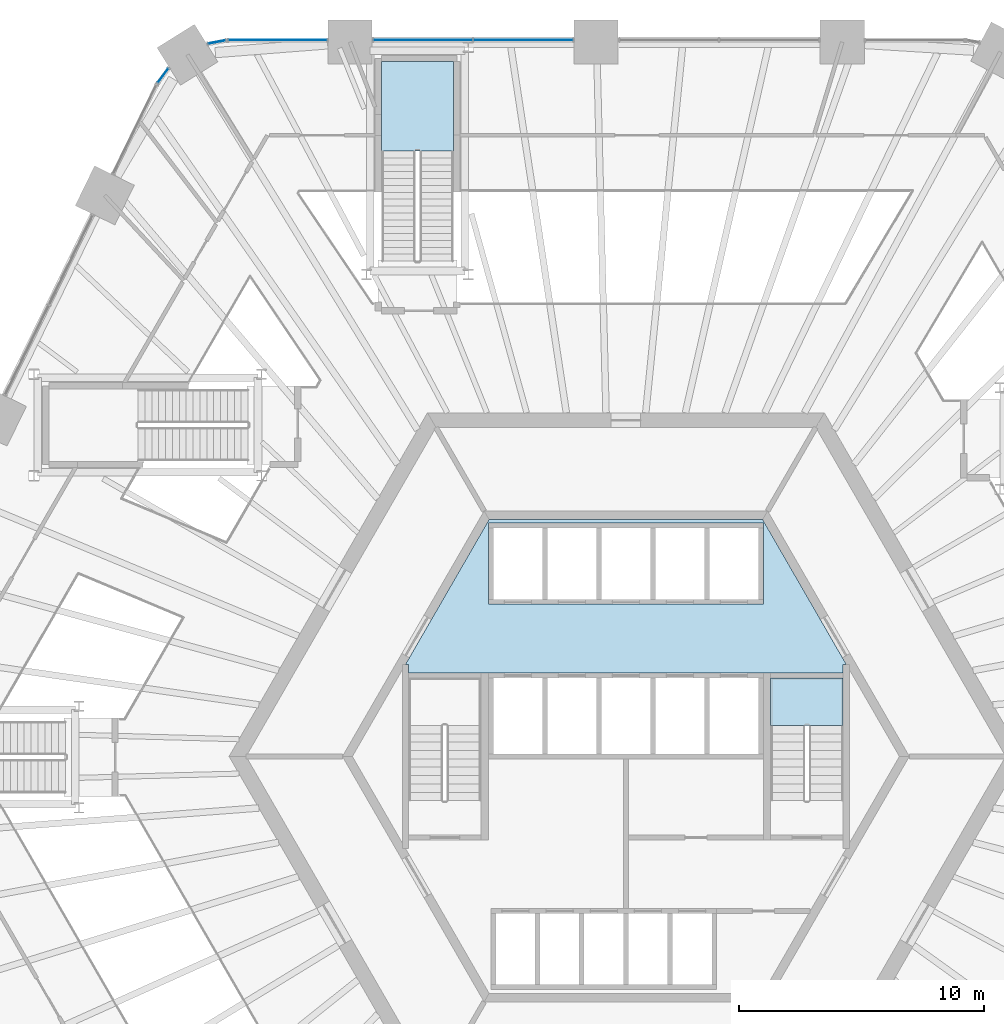
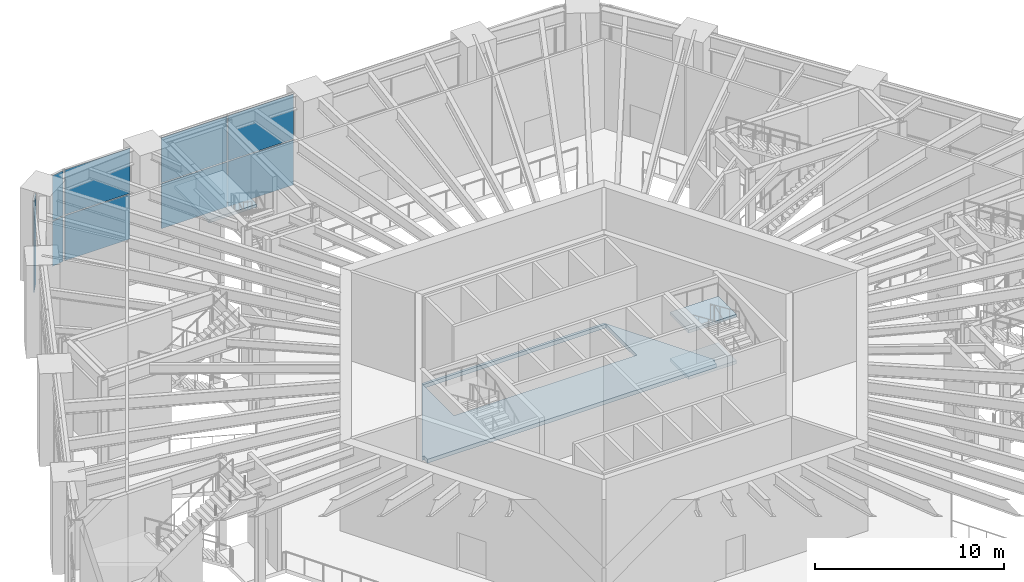
# One storey, part 18 of 32: 10 plates, 4 slabs, 6 elements without a shape of their own.
"""IFC4 building model written with IfcOpenShell, lengths in metres."""

import ifcopenshell
import ifcopenshell.guid

model = None  # the IFC model being written
_history = None  # IfcOwnerHistory: only IFC2X3 demands one
_inside = {}  # id of a spatial element -> (the spatial element, [elements in it])
_under = {}  # id of a project, library or spatial element -> (it, [spatial elements below it])
_declared = {}  # id of a project -> (the project, [libraries it declares])
_typed = {}  # id of a type object -> (the type object, [elements of that type])
_made_of = {}  # id of a material, layer set ... -> (it, [elements and type objects made of it])


def new_model(schema):
    """Start an empty IFC model of exactly this schema.

    Asked for "IFC4X3", IfcOpenShell would pick the latest addendum, in which some entities
    have other attributes; the version numbers below select the first issue.
    IFC2X3 requires an IfcOwnerHistory on every rooted entity: one is made here for all.
    """
    global model, _history
    if schema == "IFC4X3":
        model = ifcopenshell.file(schema_version=(4, 3, 0, 0))
    else:
        model = ifcopenshell.file(schema=schema)
    _inside.clear()
    _under.clear()
    _declared.clear()
    _typed.clear()
    _made_of.clear()
    _history = None
    if model.schema == "IFC2X3":
        org = make("IfcOrganization", Name="unknown")
        user = make(
            "IfcPersonAndOrganization",
            ThePerson=make("IfcPerson", FamilyName="unknown"),
            TheOrganization=org,
        )
        app = make(
            "IfcApplication",
            ApplicationDeveloper=org,
            Version="unknown",
            ApplicationFullName="unknown",
            ApplicationIdentifier="unknown",
        )
        _history = make(
            "IfcOwnerHistory",
            OwningUser=user,
            OwningApplication=app,
            ChangeAction="ADDED",
            CreationDate=0,
        )
    return model


def make(cls, **values):
    """One entity of the class cls with the attributes given. An attribute that is None is left unset."""
    return model.create_entity(
        cls, **{name: value for name, value in values.items() if value is not None}
    )


def rooted(cls, **values):
    """An entity with a GlobalId (a new one), such as an element, a storey or a relation."""
    return make(cls, GlobalId=ifcopenshell.guid.new(), OwnerHistory=_history, **values)


def si_unit(unit_type, name, prefix=None):
    """IfcSIUnit, for example si_unit("LENGTHUNIT", "METRE", prefix="MILLI")."""
    return make("IfcSIUnit", UnitType=unit_type, Prefix=prefix, Name=name)


def assignment(units):
    """IfcUnitAssignment: the units of a project."""
    return None if units is None else make("IfcUnitAssignment", Units=units)


def point(xyz):
    """IfcCartesianPoint."""
    return None if xyz is None else make("IfcCartesianPoint", Coordinates=xyz)


def direction(xyz):
    """IfcDirection."""
    return None if xyz is None else make("IfcDirection", DirectionRatios=xyz)


def frame(location, z_axis=None, x_axis=None):
    """IfcAxis2Placement3D, a coordinate frame: its origin and axes. An axis left out is left unset."""
    return make(
        "IfcAxis2Placement3D",
        Location=point(location),
        Axis=direction(z_axis),
        RefDirection=direction(x_axis),
    )


def frame_2d(location, x_axis=None):
    """IfcAxis2Placement2D, a coordinate frame in the plane: its origin and x axis."""
    return make(
        "IfcAxis2Placement2D", Location=point(location), RefDirection=direction(x_axis)
    )


def origin():
    """The frame at (0, 0, 0) with its axes left unset."""
    return frame((0.0, 0.0, 0.0))


def origin_2d():
    """The frame at (0, 0) in the plane with its x axis left unset."""
    return frame_2d((0.0, 0.0))


def place(relative_to, where):
    """IfcLocalPlacement: puts the frame where relative to a parent placement (None: the world)."""
    return make(
        "IfcLocalPlacement", PlacementRelTo=relative_to, RelativePlacement=where
    )


def context(
    kind, dimensions, precision=None, world=None, true_north=None, identifier=None
):
    """IfcGeometricRepresentationContext, for example the 3D "Model" context."""
    return make(
        "IfcGeometricRepresentationContext",
        ContextIdentifier=identifier,
        ContextType=kind,
        CoordinateSpaceDimension=dimensions,
        Precision=precision,
        WorldCoordinateSystem=world,
        TrueNorth=true_north,
    )


def subcontext(parent, identifier, kind, view, scale=None):
    """IfcGeometricRepresentationSubContext, for example "Body" below "Model"."""
    return make(
        "IfcGeometricRepresentationSubContext",
        ContextIdentifier=identifier,
        ContextType=kind,
        ParentContext=parent,
        TargetScale=scale,
        TargetView=view,
    )


def project(units=None, contexts=None):
    """IfcProject with its units and contexts."""
    return rooted(
        "IfcProject",
        Name="project",
        RepresentationContexts=contexts,
        UnitsInContext=assignment(units),
    )


def spatial(cls, under=None, at=None, **own):
    """A site, building, storey or space (cls), placed at a placement, below another one or the project."""
    s = rooted(cls, ObjectPlacement=at, **own)
    if under is not None:
        _under.setdefault(under.id(), (under, []))[1].append(s)
    return s


def polyline(points):
    """IfcPolyline through the points."""
    return make("IfcPolyline", Points=[point(p) for p in points])


def profile(cls, at=None, kind="AREA", **sizes):
    """A parametric profile (cls). Its sizes go by their IFC names, for example OverallWidth=200.0."""
    return make(cls, ProfileType=kind, Position=at, **sizes)


def rectangle(**sizes):
    """IfcRectangleProfileDef."""
    return profile("IfcRectangleProfileDef", **sizes)


def outline(outer, holes=None, kind="AREA"):
    """IfcArbitraryClosedProfileDef: a profile drawn as a closed curve; with holes, ...WithVoids."""
    if holes is None:
        return make("IfcArbitraryClosedProfileDef", ProfileType=kind, OuterCurve=outer)
    return make(
        "IfcArbitraryProfileDefWithVoids",
        ProfileType=kind,
        OuterCurve=outer,
        InnerCurves=holes,
    )


def extrude(swept, where, along, depth):
    """IfcExtrudedAreaSolid: the profile swept, set in the frame where, extruded along a direction by depth."""
    return make(
        "IfcExtrudedAreaSolid",
        SweptArea=swept,
        Position=where,
        ExtrudedDirection=direction(along),
        Depth=depth,
    )


def shape(context_of_items, identifier, shape_type, items):
    """IfcShapeRepresentation: the items that make up one representation, for example the "Body"."""
    return make(
        "IfcShapeRepresentation",
        ContextOfItems=context_of_items,
        RepresentationIdentifier=identifier,
        RepresentationType=shape_type,
        Items=items,
    )


def material(Name=None, Category=None):
    """IfcMaterial."""
    return make("IfcMaterial", Name=Name, Category=Category)


def layer(
    of_material, thickness, ventilated=None, Name=None, Category=None, Priority=None
):
    """IfcMaterialLayer: one layer of a wall or slab, of a material (None: an air gap)."""
    return make(
        "IfcMaterialLayer",
        Material=of_material,
        LayerThickness=thickness,
        IsVentilated=ventilated,
        Name=Name,
        Category=Category,
        Priority=Priority,
    )


def layer_set(layers, Name=None):
    """IfcMaterialLayerSet."""
    return make("IfcMaterialLayerSet", MaterialLayers=layers, LayerSetName=Name)


def made_of(thing, what):
    """Note that an element or type object is made of a material, layer set ...; save() writes the relation."""
    if what is not None:
        _made_of.setdefault(what.id(), (what, []))[1].append(thing)
    return thing


def type_object(cls, material=None, **own):
    """A type object (cls), such as IfcWallType, which elements share."""
    return made_of(rooted(cls, **own), material)


def element(
    cls,
    number,
    at=None,
    inside=None,
    cuts=None,
    type_object=None,
    material=None,
    context=None,
    identifier="Body",
    shape_type=None,
    held_by="IfcProductDefinitionShape",
    body=None,
    shapes=None,
    **own,
):
    """One element of the class cls, such as IfcWall. Its Tag is "e" and its number.

    at: its placement. inside: the storey or other place that contains it. cuts: it is an
    opening in that element (IfcRelVoidsElement). A single representation is given by context,
    identifier, shape_type and body (its items); several are given by shapes. held_by: the class
    of the entity that holds the representations. save() writes the other relations.
    """
    e = rooted(cls, Tag="e%d" % number, ObjectPlacement=at, **own)
    if body is not None:
        shapes = [shape(context, identifier, shape_type, body)]
    if shapes is not None:
        e.Representation = make(held_by, Representations=shapes)
    if inside is not None:
        _inside.setdefault(inside.id(), (inside, []))[1].append(e)
    if cuts is not None:
        rooted(
            "IfcRelVoidsElement", RelatingBuildingElement=cuts, RelatedOpeningElement=e
        )
    if type_object is not None:
        _typed.setdefault(type_object.id(), (type_object, []))[1].append(e)
    return made_of(e, material)


def aggregate(whole, parts):
    """IfcRelAggregates: a whole, such as a stair, and the parts it consists of."""
    return rooted("IfcRelAggregates", RelatingObject=whole, RelatedObjects=parts)


def save(model, path):
    """Write the relations noted so far, then the file.

    IfcRelAggregates (storeys below a building ...), IfcRelContainedInSpatialStructure (elements
    in a storey), IfcRelDefinesByType, IfcRelAssociatesMaterial and IfcRelDeclares: one each for
    every whole, place, type object, material and project.
    """
    for whole, parts in _under.values():
        aggregate(whole, parts)
    for where, things in _inside.values():
        rooted(
            "IfcRelContainedInSpatialStructure",
            RelatedElements=things,
            RelatingStructure=where,
        )
    for kind, things in _typed.values():
        rooted("IfcRelDefinesByType", RelatedObjects=things, RelatingType=kind)
    for what, things in _made_of.values():
        rooted("IfcRelAssociatesMaterial", RelatedObjects=things, RelatingMaterial=what)
    for by, libraries in _declared.values():
        rooted("IfcRelDeclares", RelatingContext=by, RelatedDefinitions=libraries)
    model.write(path)


model = new_model("IFC4")

# Units and contexts
model_context = context("Model", 3, precision=1e-05, world=origin(), true_north=direction((0.0, 1.0)))
body_context = subcontext(model_context, "Body", "Model", "MODEL_VIEW")
ifc_project = project(units=[si_unit("LENGTHUNIT", "METRE"), si_unit("AREAUNIT", "SQUARE_METRE"), si_unit("VOLUMEUNIT", "CUBIC_METRE"), si_unit("PLANEANGLEUNIT", "RADIAN"), si_unit("MASSUNIT", "GRAM", prefix="KILO")], contexts=[model_context])

# Site, building, storey
site_placement = place(None, origin())
site = spatial("IfcSite", under=ifc_project, at=site_placement, CompositionType="ELEMENT")
building_placement = place(site_placement, origin())
building = spatial("IfcBuilding", under=site, at=building_placement, Name="Tarnside Tower", CompositionType="ELEMENT")
storey_placement = place(building_placement, frame((0.0, 0.0, 9.0)))
storey = spatial("IfcBuildingStorey", under=building, at=storey_placement, Name="L01", CompositionType="ELEMENT", Elevation=9.0)

# Slab
ifc_material_1 = material(Name="Concrete C40/50", Category="concrete")
ifc_layer_1 = layer(ifc_material_1, 0.25)
ifc_layer_set_1 = layer_set([ifc_layer_1], Name="Core slab C40/50")
slab_type_1 = type_object("IfcSlabType", Name="Core slab C40/50", PredefinedType="FLOOR", material=ifc_layer_set_1)
slab_1_placement = place(storey_placement, frame((0.0, 0.0, -0.25)))
element("IfcSlab", 1, at=slab_1_placement, inside=storey, type_object=slab_type_1, Name="L01 core floor slab 2", PredefinedType="FLOOR", context=body_context, shape_type="SweptSolid", body=[
    extrude(outline(polyline([(-8.97509765625, 3.7548828125), (-5.5712890625, 9.64990234375), (5.5712890625, 9.64990234375), (8.97509765625, 3.7548828125), (8.85009765625, 3.7548828125), (8.85009765625, 3.39990234375), (5.89990234375, 3.39990234375), (5.60009765625, 3.39990234375), (5.60009765625, 3.39990234375), (-5.60009765625, 3.39990234375), (-5.89990234375, 3.39990234375), (-8.85009765625, 3.39990234375), (-8.85009765625, 3.7548828125), (-8.97509765625, 3.7548828125)]), holes=[polyline([(-5.60009765625, 6.199951171875), (5.60009765625, 6.199951171875), (5.60009765625, 6.39990234375), (5.60009765625, 9.300048828125), (5.60009765625, 9.5), (-5.60009765625, 9.5), (-5.60009765625, 9.300048828125), (-5.60009765625, 6.39990234375), (-5.60009765625, 6.199951171875)])]), origin(), (0.0, 0.0, 1.0), 0.25),
])

# Stair, slab
stair_type_1 = type_object("IfcStairType", Name="Podium exit stair 1400 clear", PredefinedType="HALF_TURN_STAIR", material=ifc_material_1)
stair_1_placement = place(storey_placement, origin())
stair_1 = element("IfcStair", 2, at=stair_1_placement, inside=storey, type_object=stair_type_1, Name="L01 Podium exit stair 1", PredefinedType="HALF_TURN_STAIR")
ifc_layer_2 = layer(ifc_material_1, 0.199951171875)
ifc_layer_set_2 = layer_set([ifc_layer_2], Name="Podium stair landing 200 C40/50")
slab_type_2 = type_object("IfcSlabType", Name="Podium stair landing 200 C40/50", PredefinedType="LANDING", material=ifc_layer_set_2)
slab_2_placement = place(storey_placement, frame((0.0, 0.0, 2.800048828125)))
slab_2 = element("IfcSlab", 3, at=slab_2_placement, type_object=slab_type_2, Name="PS1 landing 1", PredefinedType="LANDING", context=body_context, shape_type="SweptSolid", body=[
    extrude(outline(polyline([(-7.0146484375, 24.659912109375), (-7.0146484375, 28.300048828125), (-9.96484375, 28.300048828125), (-9.96484375, 24.659912109375), (-7.0146484375, 24.659912109375)])), origin(), (0.0, 0.0, 1.0), 0.199951171875),
])
aggregate(stair_1, [slab_2])

# Curtain wall, plates
ifc_material_2 = material(Name="Retail shopfront glazing wall", Category="glass")
curtain_wall_type = type_object("IfcCurtainWallType", Name="Retail shopfront glazing wall", PredefinedType="NOTDEFINED", material=ifc_material_2)
curtain_wall_1_placement = place(storey_placement, origin())
curtain_wall_1 = element("IfcCurtainWall", 4, at=curtain_wall_1_placement, inside=storey, type_object=curtain_wall_type, Name="Retail shopfront glazing L01 01.0", PredefinedType="NOTDEFINED")
ifc_material_3 = material(Name="Low-iron safety glass", Category="glass")
ifc_layer_3 = layer(ifc_material_3, 0.028076171875)
ifc_layer_set_3 = layer_set([ifc_layer_3], Name="Retail shopfront glazing panel 28")
plate_type = type_object("IfcPlateType", Name="Retail shopfront glazing panel 28", PredefinedType="CURTAIN_PANEL", material=ifc_layer_set_3)
plate_1_placement = place(storey_placement, frame((-4.181884765625, 29.179931640625, -0.18994140625), z_axis=(0.0, 0.0, 1.0), x_axis=(-1.0, 0.0, 0.0)))
plate_1 = element("IfcPlate", 5, at=plate_1_placement, type_object=plate_type, Name="CW2 panel 1.1", PredefinedType="CURTAIN_PANEL", context=body_context, shape_type="SweptSolid", body=[
    extrude(rectangle(XDim=4.021728515625, YDim=0.028076171875, at=origin_2d()), origin(), (0.0, 0.0, 1.0), 2.909912109375),
])
plate_2_placement = place(storey_placement, frame((-4.181884765625, 29.179931640625, 2.7802734375), z_axis=(0.0, 0.0, 1.0), x_axis=(-1.0, 0.0, 0.0)))
plate_2 = element("IfcPlate", 6, at=plate_2_placement, type_object=plate_type, Name="CW2 panel 1.2", PredefinedType="CURTAIN_PANEL", context=body_context, shape_type="SweptSolid", body=[
    extrude(rectangle(XDim=4.021728515625, YDim=0.028076171875, at=origin_2d()), origin(), (0.0, 0.0, 1.0), 2.909912109375),
])
plate_3_placement = place(storey_placement, frame((-8.263916015625, 29.179931640625, -0.18994140625), z_axis=(0.0, 0.0, 1.0), x_axis=(-1.0, 0.0, 0.0)))
plate_3 = element("IfcPlate", 7, at=plate_3_placement, type_object=plate_type, Name="CW2 panel 2.1", PredefinedType="CURTAIN_PANEL", context=body_context, shape_type="SweptSolid", body=[
    extrude(rectangle(XDim=4.021728515625, YDim=0.028076171875, at=origin_2d()), origin(), (0.0, 0.0, 1.0), 2.909912109375),
])
plate_4_placement = place(storey_placement, frame((-8.263916015625, 29.179931640625, 2.7802734375), z_axis=(0.0, 0.0, 1.0), x_axis=(-1.0, 0.0, 0.0)))
plate_4 = element("IfcPlate", 8, at=plate_4_placement, type_object=plate_type, Name="CW2 panel 2.2", PredefinedType="CURTAIN_PANEL", context=body_context, shape_type="SweptSolid", body=[
    extrude(rectangle(XDim=4.021728515625, YDim=0.028076171875, at=origin_2d()), origin(), (0.0, 0.0, 1.0), 2.909912109375),
])
aggregate(curtain_wall_1, [plate_1, plate_2, plate_3, plate_4])

curtain_wall_2_placement = place(storey_placement, origin())
curtain_wall_2 = element("IfcCurtainWall", 9, at=curtain_wall_2_placement, inside=storey, type_object=curtain_wall_type, Name="Retail shopfront glazing L01 02.0", PredefinedType="NOTDEFINED")
plate_5_placement = place(storey_placement, frame((-14.190673828125, 29.179931640625, -0.18994140625), z_axis=(0.0, 0.0, 1.0), x_axis=(-1.0, 0.0, 0.0)))
plate_5 = element("IfcPlate", 10, at=plate_5_placement, type_object=plate_type, Name="CW2 panel 1.1", PredefinedType="CURTAIN_PANEL", context=body_context, shape_type="SweptSolid", body=[
    extrude(rectangle(XDim=3.991943359375, YDim=0.028076171875, at=origin_2d()), origin(), (0.0, 0.0, 1.0), 2.909912109375),
])
plate_6_placement = place(storey_placement, frame((-14.190673828125, 29.179931640625, 2.7802734375), z_axis=(0.0, 0.0, 1.0), x_axis=(-1.0, 0.0, 0.0)))
plate_6 = element("IfcPlate", 11, at=plate_6_placement, type_object=plate_type, Name="CW2 panel 1.2", PredefinedType="CURTAIN_PANEL", context=body_context, shape_type="SweptSolid", body=[
    extrude(rectangle(XDim=3.991943359375, YDim=0.028076171875, at=origin_2d()), origin(), (0.0, 0.0, 1.0), 2.909912109375),
])
aggregate(curtain_wall_2, [plate_5, plate_6])

curtain_wall_3_placement = place(storey_placement, origin())
curtain_wall_3 = element("IfcCurtainWall", 12, at=curtain_wall_3_placement, inside=storey, type_object=curtain_wall_type, Name="Retail shopfront glazing L01 02.1", PredefinedType="NOTDEFINED")
plate_7_placement = place(storey_placement, frame((-16.6650390625, 29.1025390625, -0.18994140625), z_axis=(0.0, 0.0, 1.0), x_axis=(-0.982720646541, -0.185094923925, 0.0)))
plate_7 = element("IfcPlate", 13, at=plate_7_placement, type_object=plate_type, Name="CW2 panel 1.1", PredefinedType="CURTAIN_PANEL", context=body_context, shape_type="SweptSolid", body=[
    extrude(rectangle(XDim=0.701416015625, YDim=0.028076171875, at=origin_2d()), origin(), (0.0, 0.0, 1.0), 2.909912109375),
])
plate_8_placement = place(storey_placement, frame((-16.6650390625, 29.1025390625, 2.7802734375), z_axis=(0.0, 0.0, 1.0), x_axis=(-0.982720646541, -0.185094923925, 0.0)))
plate_8 = element("IfcPlate", 14, at=plate_8_placement, type_object=plate_type, Name="CW2 panel 1.2", PredefinedType="CURTAIN_PANEL", context=body_context, shape_type="SweptSolid", body=[
    extrude(rectangle(XDim=0.701416015625, YDim=0.028076171875, at=origin_2d()), origin(), (0.0, 0.0, 1.0), 2.909912109375),
])
aggregate(curtain_wall_3, [plate_7, plate_8])

curtain_wall_4_placement = place(storey_placement, origin())
curtain_wall_4 = element("IfcCurtainWall", 15, at=curtain_wall_4_placement, inside=storey, type_object=curtain_wall_type, Name="Retail shopfront glazing L01 03.0", PredefinedType="NOTDEFINED")
plate_9_placement = place(storey_placement, frame((-18.851806640625, 27.736083984375, -0.18994140625), z_axis=(0.0, 0.0, 1.0), x_axis=(-0.597158591581, -0.802123192845, 0.0)))
plate_9 = element("IfcPlate", 16, at=plate_9_placement, type_object=plate_type, Name="CW2 panel 1.1", PredefinedType="CURTAIN_PANEL", context=body_context, shape_type="SweptSolid", body=[
    extrude(rectangle(XDim=0.701416015625, YDim=0.028076171875, at=origin_2d()), origin(), (0.0, 0.0, 1.0), 2.909912109375),
])
plate_10_placement = place(storey_placement, frame((-18.851806640625, 27.736083984375, 2.7802734375), z_axis=(0.0, 0.0, 1.0), x_axis=(-0.597158591581, -0.802123192845, 0.0)))
plate_10 = element("IfcPlate", 17, at=plate_10_placement, type_object=plate_type, Name="CW2 panel 1.2", PredefinedType="CURTAIN_PANEL", context=body_context, shape_type="SweptSolid", body=[
    extrude(rectangle(XDim=0.701416015625, YDim=0.028076171875, at=origin_2d()), origin(), (0.0, 0.0, 1.0), 2.909912109375),
])
aggregate(curtain_wall_4, [plate_9, plate_10])

# Stair, slabs
stair_type_2 = type_object("IfcStairType", Name="Exit stair 1400 clear", PredefinedType="HALF_TURN_STAIR", material=ifc_material_1)
stair_2_placement = place(storey_placement, origin())
stair_2 = element("IfcStair", 18, at=stair_2_placement, inside=storey, type_object=stair_type_2, Name="L01 Exit stair 1", PredefinedType="HALF_TURN_STAIR")
ifc_layer_4 = layer(ifc_material_1, 0.199951171875)
ifc_layer_set_4 = layer_set([ifc_layer_4], Name="Stair landing 200 C40/50")
slab_type_3 = type_object("IfcSlabType", Name="Stair landing 200 C40/50", PredefinedType="LANDING", material=ifc_layer_set_4)
slab_3_placement = place(storey_placement, frame((0.0, 0.0, 1.300048828125)))
slab_3 = element("IfcSlab", 19, at=slab_3_placement, type_object=slab_type_3, Name="ST1 landing 1", PredefinedType="LANDING", context=body_context, shape_type="SweptSolid", body=[
    extrude(outline(polyline([(8.85009765625, 1.260009765625), (8.85009765625, 3.199951171875), (5.89990234375, 3.199951171875), (5.89990234375, 1.260009765625), (8.85009765625, 1.260009765625)])), origin(), (0.0, 0.0, 1.0), 0.199951171875),
])
slab_4_placement = place(storey_placement, frame((0.0, 0.0, 4.300048828125)))
slab_4 = element("IfcSlab", 20, at=slab_4_placement, type_object=slab_type_3, Name="ST1 landing 3", PredefinedType="LANDING", context=body_context, shape_type="SweptSolid", body=[
    extrude(outline(polyline([(8.85009765625, 1.260009765625), (8.85009765625, 3.199951171875), (5.89990234375, 3.199951171875), (5.89990234375, 1.260009765625), (8.85009765625, 1.260009765625)])), origin(), (0.0, 0.0, 1.0), 0.199951171875),
])
aggregate(stair_2, [slab_3, slab_4])

save(model, "model.ifc")
